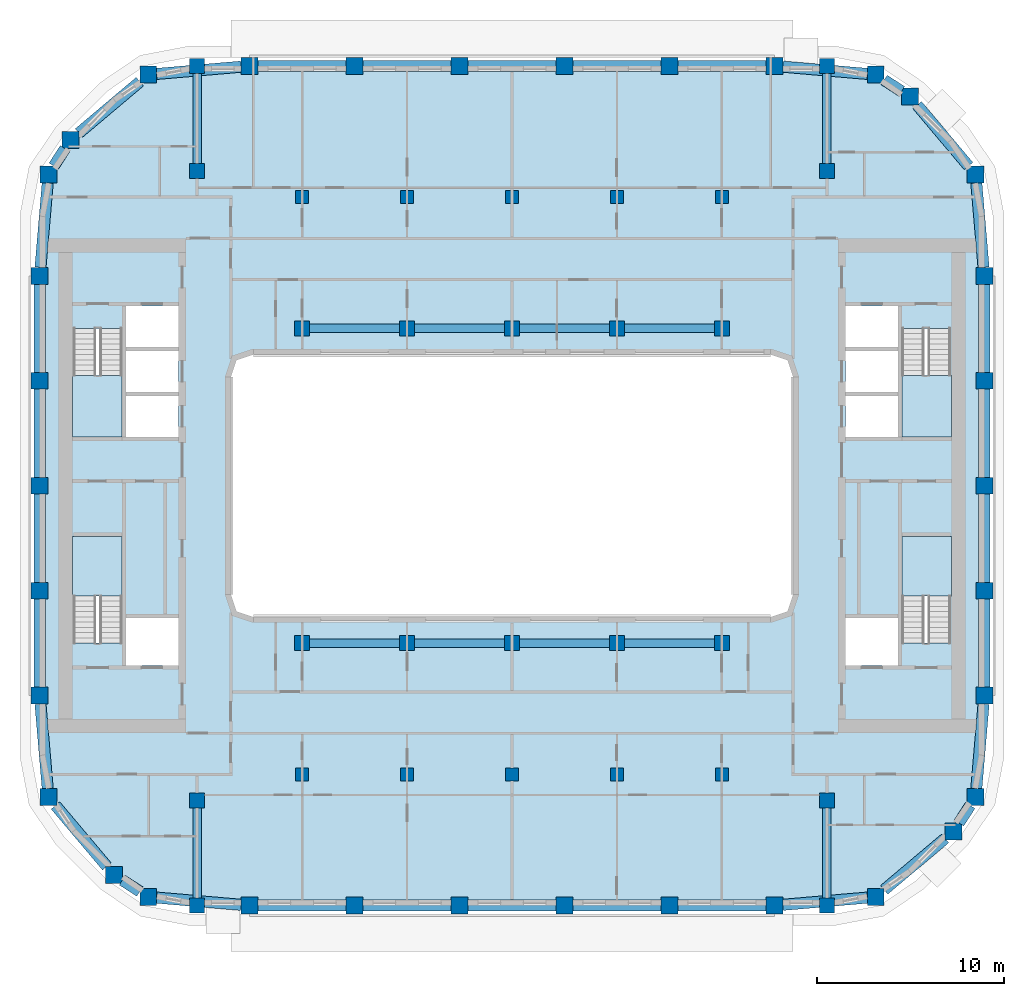
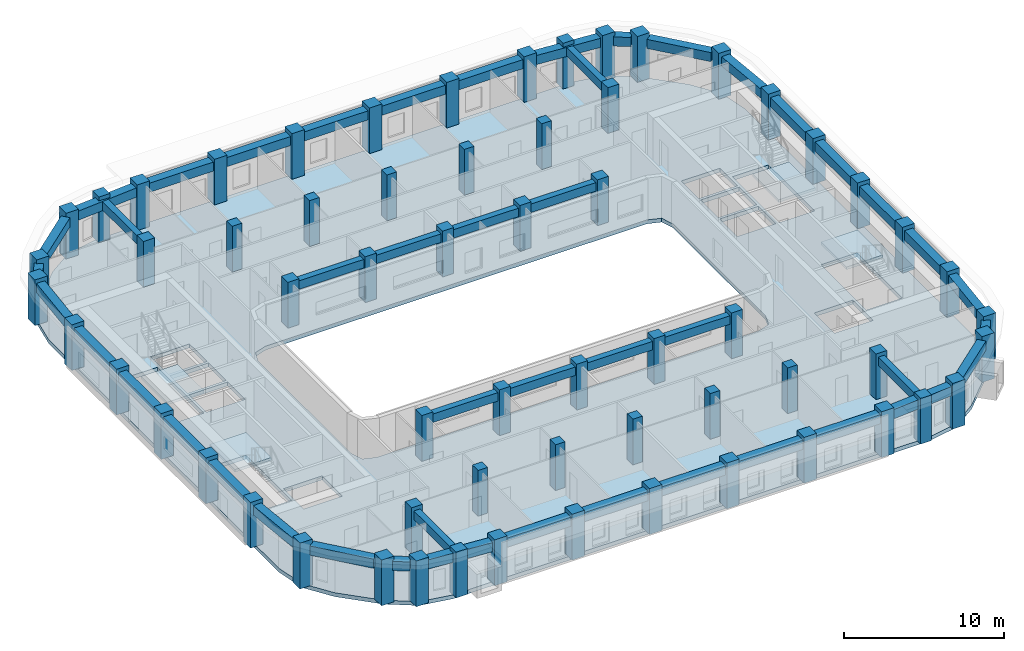
# One storey, part 1 of 21: 62 columns, 46 beams, 5 slabs, 4 elements without a shape of their own.
"""IFC4 building model written with IfcOpenShell, lengths in metres."""

from ifc_helpers import new_model, si_unit, direction, frame, origin, origin_2d, place, context, subcontext, project, spatial, polyline, rectangle, outline, extrude, material, layer, layer_set, material_profile, profile_set, type_object, element, aggregate, save


model = new_model("IFC4")

# Units and contexts
model_context = context("Model", 3, precision=1e-05, world=origin(), true_north=direction((0.0, 1.0)))
body_context = subcontext(model_context, "Body", "Model", "MODEL_VIEW")
ifc_project = project(units=[si_unit("LENGTHUNIT", "METRE"), si_unit("AREAUNIT", "SQUARE_METRE"), si_unit("VOLUMEUNIT", "CUBIC_METRE"), si_unit("PLANEANGLEUNIT", "RADIAN"), si_unit("MASSUNIT", "GRAM", prefix="KILO")], contexts=[model_context])

# Site, building, storey
site_placement = place(None, origin())
site = spatial("IfcSite", under=ifc_project, at=site_placement, CompositionType="ELEMENT")
building_placement = place(site_placement, origin())
building = spatial("IfcBuilding", under=site, at=building_placement, Name="Kiln Ring Residences", CompositionType="ELEMENT")
storey_placement = place(building_placement, frame((0.0, 0.0, 202.89990234375)))
storey = spatial("IfcBuildingStorey", under=building, at=storey_placement, Name="L52", CompositionType="ELEMENT", Elevation=202.89990234375)

# Columns
ifc_material_1 = material(Name="Concrete C70/85", Category="concrete")
ifc_material_profile_1 = material_profile(ifc_material_1, rectangle(XDim=0.699951171875, YDim=0.699951171875, at=origin_2d()), Name="RC700x700")
ifc_profile_set_1 = profile_set([ifc_material_profile_1], Name="Concrete C70/85")
column_type_1 = type_object("IfcColumnType", Name="Corridor column RC700x700 C70/85", PredefinedType="COLUMN", material=ifc_profile_set_1)
for number, where, z_axis, x_axis, name in (
    (1, (-11.199951171875, 15.39990234375, 0.0), (0.0, 0.0, 1.0), (1.0, 0.0, 0.0), "Corridor column L52 1"),
    (2, (-5.60009765625, 15.39990234375, 0.0), (0.0, 0.0, 1.0), (1.0, 0.0, 0.0), "Corridor column L52 2"),
    (3, (0.0, 15.39990234375, 0.0), (0.0, 0.0, 1.0), (1.0, 0.0, 0.0), "Corridor column L52 3"),
    (4, (5.60009765625, 15.39990234375, 0.0), (0.0, 0.0, 1.0), (1.0, 0.0, 0.0), "Corridor column L52 4"),
    (5, (11.199951171875, 15.39990234375, 0.0), (0.0, 0.0, 1.0), (1.0, 0.0, 0.0), "Corridor column L52 5"),
    (6, (-11.199951171875, -15.39990234375, 0.0), (0.0, 0.0, 1.0), (1.0, 0.0, 0.0), "Corridor column L52 6"),
    (7, (-5.60009765625, -15.39990234375, 0.0), (0.0, 0.0, 1.0), (1.0, 0.0, 0.0), "Corridor column L52 7"),
    (8, (0.0, -15.39990234375, 0.0), (0.0, 0.0, 1.0), (1.0, 0.0, 0.0), "Corridor column L52 8"),
    (9, (5.60009765625, -15.39990234375, 0.0), (0.0, 0.0, 1.0), (1.0, 0.0, 0.0), "Corridor column L52 9"),
    (10, (11.199951171875, -15.39990234375, 0.0), (0.0, 0.0, 1.0), (1.0, 0.0, 0.0), "Corridor column L52 10"),
):
    element("IfcColumn", number, at=place(storey_placement, frame(where, z_axis=z_axis, x_axis=x_axis)), inside=storey, type_object=column_type_1, Name=name, PredefinedType="COLUMN", context=body_context, shape_type="SweptSolid", body=[
        extrude(rectangle(XDim=0.699951171875, YDim=0.699951171875, at=origin_2d()), origin(), (0.0, 0.0, 1.0), 3.5),
    ])
ifc_material_2 = material(Name="Concrete C70/85", Category="concrete")
ifc_material_profile_2 = material_profile(ifc_material_2, rectangle(XDim=0.89990234375, YDim=0.89990234375, at=origin_2d()), Name="RC900x900")
ifc_profile_set_2 = profile_set([ifc_material_profile_2], Name="Concrete C70/85")
column_type_2 = type_object("IfcColumnType", Name="Perimeter column RC900x900 C70/85", PredefinedType="COLUMN", material=ifc_profile_set_2)
for number, where, z_axis, x_axis, name in (
    (11, (-19.40869140625, -21.93798828125, 0.0), (0.0, 0.0, 1.0), (1.0, 0.0, 0.0), "Perimeter column L52 1"),
    (12, (-14.0, -22.39990234375, 0.0), (0.0, 0.0, 1.0), (1.0, 0.0, 0.0), "Perimeter column L52 2"),
    (13, (-8.39990234375, -22.39990234375, 0.0), (0.0, 0.0, 1.0), (1.0, 0.0, 0.0), "Perimeter column L52 3"),
    (14, (-2.800048828125, -22.39990234375, 0.0), (0.0, 0.0, 1.0), (1.0, 0.0, 0.0), "Perimeter column L52 4"),
    (15, (2.800048828125, -22.39990234375, 0.0), (0.0, 0.0, 1.0), (1.0, 0.0, 0.0), "Perimeter column L52 5"),
    (16, (8.39990234375, -22.39990234375, 0.0), (0.0, 0.0, 1.0), (1.0, 0.0, 0.0), "Perimeter column L52 6"),
    (17, (14.0, -22.39990234375, 0.0), (0.0, 0.0, 1.0), (1.0, 0.0, 0.0), "Perimeter column L52 7"),
    (18, (19.40869140625, -21.93798828125, 0.0), (0.0, 0.0, 1.0), (1.0, 0.0, 0.0), "Perimeter column L52 8"),
    (19, (23.559814453125, -18.440185546875, 0.0), (0.0, 0.0, 1.0), (1.0, 0.0, 0.0), "Perimeter column L52 9"),
    (20, (24.738037109375, -16.608642578125, 0.0), (0.0, 0.0, 1.0), (1.0, 0.0, 0.0), "Perimeter column L52 10"),
    (21, (25.199951171875, -11.199951171875, 0.0), (0.0, 0.0, 1.0), (1.0, 0.0, 0.0), "Perimeter column L52 11"),
    (22, (25.199951171875, -5.60009765625, 0.0), (0.0, 0.0, 1.0), (1.0, 0.0, 0.0), "Perimeter column L52 12"),
    (23, (25.199951171875, 0.0, 0.0), (0.0, 0.0, 1.0), (1.0, 0.0, 0.0), "Perimeter column L52 13"),
    (24, (25.199951171875, 5.60009765625, 0.0), (0.0, 0.0, 1.0), (1.0, 0.0, 0.0), "Perimeter column L52 14"),
    (25, (25.199951171875, 11.199951171875, 0.0), (0.0, 0.0, 1.0), (1.0, 0.0, 0.0), "Perimeter column L52 15"),
    (26, (24.738037109375, 16.608642578125, 0.0), (0.0, 0.0, 1.0), (1.0, 0.0, 0.0), "Perimeter column L52 16"),
    (27, (21.240234375, 20.759765625, 0.0), (0.0, 0.0, 1.0), (1.0, 0.0, 0.0), "Perimeter column L52 17"),
    (28, (19.40869140625, 21.93798828125, 0.0), (0.0, 0.0, 1.0), (1.0, 0.0, 0.0), "Perimeter column L52 18"),
    (29, (14.0, 22.39990234375, 0.0), (0.0, 0.0, 1.0), (1.0, 0.0, 0.0), "Perimeter column L52 19"),
    (30, (8.39990234375, 22.39990234375, 0.0), (0.0, 0.0, 1.0), (1.0, 0.0, 0.0), "Perimeter column L52 20"),
    (31, (2.800048828125, 22.39990234375, 0.0), (0.0, 0.0, 1.0), (1.0, 0.0, 0.0), "Perimeter column L52 21"),
    (32, (-2.800048828125, 22.39990234375, 0.0), (0.0, 0.0, 1.0), (1.0, 0.0, 0.0), "Perimeter column L52 22"),
    (33, (-8.39990234375, 22.39990234375, 0.0), (0.0, 0.0, 1.0), (1.0, 0.0, 0.0), "Perimeter column L52 23"),
    (34, (-14.0, 22.39990234375, 0.0), (0.0, 0.0, 1.0), (1.0, 0.0, 0.0), "Perimeter column L52 24"),
    (35, (-19.40869140625, 21.93798828125, 0.0), (0.0, 0.0, 1.0), (1.0, 0.0, 0.0), "Perimeter column L52 25"),
    (36, (-23.559814453125, 18.440185546875, 0.0), (0.0, 0.0, 1.0), (1.0, 0.0, 0.0), "Perimeter column L52 26"),
    (37, (-24.738037109375, 16.608642578125, 0.0), (0.0, 0.0, 1.0), (1.0, 0.0, 0.0), "Perimeter column L52 27"),
    (38, (-25.199951171875, 11.199951171875, 0.0), (0.0, 0.0, 1.0), (1.0, 0.0, 0.0), "Perimeter column L52 28"),
    (39, (-25.199951171875, 5.60009765625, 0.0), (0.0, 0.0, 1.0), (1.0, 0.0, 0.0), "Perimeter column L52 29"),
    (40, (-25.199951171875, 0.0, 0.0), (0.0, 0.0, 1.0), (1.0, 0.0, 0.0), "Perimeter column L52 30"),
    (41, (-25.199951171875, -5.60009765625, 0.0), (0.0, 0.0, 1.0), (1.0, 0.0, 0.0), "Perimeter column L52 31"),
    (42, (-25.199951171875, -11.199951171875, 0.0), (0.0, 0.0, 1.0), (1.0, 0.0, 0.0), "Perimeter column L52 32"),
    (43, (-24.738037109375, -16.608642578125, 0.0), (0.0, 0.0, 1.0), (1.0, 0.0, 0.0), "Perimeter column L52 33"),
    (44, (-21.240234375, -20.759765625, 0.0), (0.0, 0.0, 1.0), (1.0, 0.0, 0.0), "Perimeter column L52 34"),
):
    element("IfcColumn", number, at=place(storey_placement, frame(where, z_axis=z_axis, x_axis=x_axis)), inside=storey, type_object=column_type_2, Name=name, PredefinedType="COLUMN", context=body_context, shape_type="SweptSolid", body=[
        extrude(rectangle(XDim=0.89990234375, YDim=0.89990234375, at=origin_2d()), origin(), (0.0, 0.0, 1.0), 3.5),
    ])
ifc_material_3 = material(Name="Concrete C70/85", Category="concrete")
ifc_material_profile_3 = material_profile(ifc_material_3, rectangle(XDim=0.800048828125, YDim=0.800048828125, at=origin_2d()), Name="RC800x800")
ifc_profile_set_3 = profile_set([ifc_material_profile_3], Name="Concrete C70/85")
column_type_3 = type_object("IfcColumnType", Name="Ring column RC800x800 C70/85", PredefinedType="COLUMN", material=ifc_profile_set_3)
for number, where, z_axis, x_axis, name in (
    (45, (-16.800048828125, -22.39990234375, 0.0), (0.0, 0.0, 1.0), (1.0, 0.0, 0.0), "Ring column L52 1"),
    (46, (-16.800048828125, -16.800048828125, 0.0), (0.0, 0.0, 1.0), (1.0, 0.0, 0.0), "Ring column L52 2"),
    (47, (-16.800048828125, 16.800048828125, 0.0), (0.0, 0.0, 1.0), (1.0, 0.0, 0.0), "Ring column L52 3"),
    (48, (-16.800048828125, 22.39990234375, 0.0), (0.0, 0.0, 1.0), (1.0, 0.0, 0.0), "Ring column L52 4"),
    (49, (-11.199951171875, -8.39990234375, 0.0), (0.0, 0.0, 1.0), (1.0, 0.0, 0.0), "Ring column L52 5"),
    (50, (-11.199951171875, 8.39990234375, 0.0), (0.0, 0.0, 1.0), (1.0, 0.0, 0.0), "Ring column L52 6"),
    (51, (-5.60009765625, -8.39990234375, 0.0), (0.0, 0.0, 1.0), (1.0, 0.0, 0.0), "Ring column L52 7"),
    (52, (-5.60009765625, 8.39990234375, 0.0), (0.0, 0.0, 1.0), (1.0, 0.0, 0.0), "Ring column L52 8"),
    (53, (0.0, -8.39990234375, 0.0), (0.0, 0.0, 1.0), (1.0, 0.0, 0.0), "Ring column L52 9"),
    (54, (0.0, 8.39990234375, 0.0), (0.0, 0.0, 1.0), (1.0, 0.0, 0.0), "Ring column L52 10"),
    (55, (5.60009765625, -8.39990234375, 0.0), (0.0, 0.0, 1.0), (1.0, 0.0, 0.0), "Ring column L52 11"),
    (56, (5.60009765625, 8.39990234375, 0.0), (0.0, 0.0, 1.0), (1.0, 0.0, 0.0), "Ring column L52 12"),
    (57, (11.199951171875, -8.39990234375, 0.0), (0.0, 0.0, 1.0), (1.0, 0.0, 0.0), "Ring column L52 13"),
    (58, (11.199951171875, 8.39990234375, 0.0), (0.0, 0.0, 1.0), (1.0, 0.0, 0.0), "Ring column L52 14"),
    (59, (16.800048828125, -22.39990234375, 0.0), (0.0, 0.0, 1.0), (1.0, 0.0, 0.0), "Ring column L52 15"),
    (60, (16.800048828125, -16.800048828125, 0.0), (0.0, 0.0, 1.0), (1.0, 0.0, 0.0), "Ring column L52 16"),
    (61, (16.800048828125, 16.800048828125, 0.0), (0.0, 0.0, 1.0), (1.0, 0.0, 0.0), "Ring column L52 17"),
    (62, (16.800048828125, 22.39990234375, 0.0), (0.0, 0.0, 1.0), (1.0, 0.0, 0.0), "Ring column L52 18"),
):
    element("IfcColumn", number, at=place(storey_placement, frame(where, z_axis=z_axis, x_axis=x_axis)), inside=storey, type_object=column_type_3, Name=name, PredefinedType="COLUMN", context=body_context, shape_type="SweptSolid", body=[
        extrude(rectangle(XDim=0.800048828125, YDim=0.800048828125, at=origin_2d()), origin(), (0.0, 0.0, 1.0), 3.5),
    ])

# Beams
ifc_material_4 = material(Name="Concrete C50/60", Category="concrete")
ifc_material_profile_4 = material_profile(ifc_material_4, rectangle(XDim=0.449951171875, YDim=0.64990234375, at=origin_2d()), Name="RC450x650")
ifc_profile_set_4 = profile_set([ifc_material_profile_4], Name="Concrete C50/60")
beam_type_1 = type_object("IfcBeamType", Name="Ring beam RC450x650 C50/60", PredefinedType="BEAM", material=ifc_profile_set_4)
for number, where, z_axis, x_axis, name in (
    (63, (-10.800048828125, -8.39990234375, 2.875), (1.0, 0.0, 0.0), (0.0, 1.0, 0.0), "Ring beam L52 1"),
    (64, (-5.199951171875, -8.39990234375, 2.875), (1.0, 0.0, 0.0), (0.0, 1.0, 0.0), "Ring beam L52 2"),
    (65, (0.39990234375, -8.39990234375, 2.875), (1.0, 0.0, 0.0), (0.0, 1.0, 0.0), "Ring beam L52 3"),
    (66, (6.0, -8.39990234375, 2.875), (1.0, 0.0, 0.0), (0.0, 1.0, 0.0), "Ring beam L52 4"),
    (67, (-10.800048828125, 8.39990234375, 2.875), (1.0, 0.0, 0.0), (0.0, 1.0, 0.0), "Ring beam L52 5"),
    (68, (-5.199951171875, 8.39990234375, 2.875), (1.0, 0.0, 0.0), (0.0, 1.0, 0.0), "Ring beam L52 6"),
    (69, (0.39990234375, 8.39990234375, 2.875), (1.0, 0.0, 0.0), (0.0, 1.0, 0.0), "Ring beam L52 7"),
    (70, (6.0, 8.39990234375, 2.875), (1.0, 0.0, 0.0), (0.0, 1.0, 0.0), "Ring beam L52 8"),
    (71, (-16.800048828125, -17.199951171875, 2.875), (0.0, -1.0, 0.0), (1.0, 0.0, 0.0), "Ring beam L52 9"),
    (72, (-16.800048828125, 17.199951171875, 2.875), (0.0, 1.0, 0.0), (-1.0, 0.0, 0.0), "Ring beam L52 10"),
    (73, (16.800048828125, -17.199951171875, 2.875), (0.0, -1.0, 0.0), (1.0, 0.0, 0.0), "Ring beam L52 11"),
    (74, (16.800048828125, 17.199951171875, 2.875), (0.0, 1.0, 0.0), (-1.0, 0.0, 0.0), "Ring beam L52 12"),
):
    element("IfcBeam", number, at=place(storey_placement, frame(where, z_axis=z_axis, x_axis=x_axis)), inside=storey, type_object=beam_type_1, Name=name, PredefinedType="BEAM", context=body_context, shape_type="SweptSolid", body=[
        extrude(rectangle(XDim=0.449951171875, YDim=0.64990234375, at=origin_2d()), origin(), (0.0, 0.0, 1.0), 4.800048828125),
    ])
ifc_material_5 = material(Name="Concrete C50/60", Category="concrete")
ifc_material_profile_5 = material_profile(ifc_material_5, rectangle(XDim=0.60009765625, YDim=0.699951171875, at=origin_2d()), Name="RC600x700")
ifc_profile_set_5 = profile_set([ifc_material_profile_5], Name="Concrete C50/60")
beam_type_2 = type_object("IfcBeamType", Name="Spandrel beam RC600x700 C50/60", PredefinedType="SPANDREL", material=ifc_profile_set_5)
beam_1_placement = place(storey_placement, frame((-18.958740234375, -21.9765625, 2.85009765625), z_axis=(0.996374010608, -0.085081319836, 0.0), x_axis=(0.085081319836, 0.996374010608, 0.0)))
element("IfcBeam", 75, at=beam_1_placement, inside=storey, type_object=beam_type_2, Name="Spandrel beam L52 1", PredefinedType="SPANDREL", context=body_context, shape_type="SweptSolid", body=[
    extrude(rectangle(XDim=0.60009765625, YDim=0.699951171875, at=origin_2d()), origin(), (0.0, 0.0, 1.0), 4.525146484375),
])
for number, where, z_axis, x_axis, name in (
    (76, (-13.550048828125, -22.39990234375, 2.85009765625), (1.0, 0.0, 0.0), (0.0, 1.0, 0.0), "Spandrel beam L52 2"),
    (77, (-7.949951171875, -22.39990234375, 2.85009765625), (1.0, 0.0, 0.0), (0.0, 1.0, 0.0), "Spandrel beam L52 3"),
):
    element("IfcBeam", number, at=place(storey_placement, frame(where, z_axis=z_axis, x_axis=x_axis)), inside=storey, type_object=beam_type_2, Name=name, PredefinedType="SPANDREL", context=body_context, shape_type="SweptSolid", body=[
        extrude(rectangle(XDim=0.60009765625, YDim=0.699951171875, at=origin_2d()), origin(), (0.0, 0.0, 1.0), 4.699951171875),
    ])
beam_2_placement = place(storey_placement, frame((-2.35009765625, -22.39990234375, 2.85009765625), z_axis=(1.0, 0.0, 0.0), x_axis=(0.0, 1.0, 0.0)))
element("IfcBeam", 78, at=beam_2_placement, inside=storey, type_object=beam_type_2, Name="Spandrel beam L52 4", PredefinedType="SPANDREL", context=body_context, shape_type="SweptSolid", body=[
    extrude(rectangle(XDim=0.60009765625, YDim=0.699951171875, at=origin_2d()), origin(), (0.0, 0.0, 1.0), 4.7001953125),
])
for number, where, z_axis, x_axis, name in (
    (79, (3.25, -22.39990234375, 2.85009765625), (1.0, 0.0, 0.0), (0.0, 1.0, 0.0), "Spandrel beam L52 5"),
    (80, (8.85009765625, -22.39990234375, 2.85009765625), (1.0, 0.0, 0.0), (0.0, 1.0, 0.0), "Spandrel beam L52 6"),
):
    element("IfcBeam", number, at=place(storey_placement, frame(where, z_axis=z_axis, x_axis=x_axis)), inside=storey, type_object=beam_type_2, Name=name, PredefinedType="SPANDREL", context=body_context, shape_type="SweptSolid", body=[
        extrude(rectangle(XDim=0.60009765625, YDim=0.699951171875, at=origin_2d()), origin(), (0.0, 0.0, 1.0), 4.699951171875),
    ])
beam_3_placement = place(storey_placement, frame((14.449951171875, -22.361572265625, 2.85009765625), z_axis=(0.996374010608, 0.085081319836, 0.0), x_axis=(-0.085081319836, 0.996374010608, 0.0)))
element("IfcBeam", 81, at=beam_3_placement, inside=storey, type_object=beam_type_2, Name="Spandrel beam L52 7", PredefinedType="SPANDREL", context=body_context, shape_type="SweptSolid", body=[
    extrude(rectangle(XDim=0.60009765625, YDim=0.699951171875, at=origin_2d()), origin(), (0.0, 0.0, 1.0), 4.525146484375),
])
beam_4_placement = place(storey_placement, frame((19.858642578125, -21.558837890625, 2.85009765625), z_axis=(0.764722045893, 0.644360297136, 0.0), x_axis=(-0.644360297136, 0.764722045893, 0.0)))
element("IfcBeam", 82, at=beam_4_placement, inside=storey, type_object=beam_type_2, Name="Spandrel beam L52 8", PredefinedType="SPANDREL", context=body_context, shape_type="SweptSolid", body=[
    extrude(rectangle(XDim=0.60009765625, YDim=0.699951171875, at=origin_2d()), origin(), (0.0, 0.0, 1.0), 4.25146484375),
])
beam_5_placement = place(storey_placement, frame((23.849365234375, -17.990234375, 2.85009765625), z_axis=(0.540891264019, 0.841092527911, 0.0), x_axis=(-0.841092527911, 0.540891264019, 0.0)))
element("IfcBeam", 83, at=beam_5_placement, inside=storey, type_object=beam_type_2, Name="Spandrel beam L52 9", PredefinedType="SPANDREL", context=body_context, shape_type="SweptSolid", body=[
    extrude(rectangle(XDim=0.60009765625, YDim=0.699951171875, at=origin_2d()), origin(), (0.0, 0.0, 1.0), 1.107666015625),
])
beam_6_placement = place(storey_placement, frame((24.776611328125, -16.15869140625, 2.85009765625), z_axis=(0.085081319836, 0.996374010608, 0.0), x_axis=(-0.996374010608, 0.085081319836, 0.0)))
element("IfcBeam", 84, at=beam_6_placement, inside=storey, type_object=beam_type_2, Name="Spandrel beam L52 10", PredefinedType="SPANDREL", context=body_context, shape_type="SweptSolid", body=[
    extrude(rectangle(XDim=0.60009765625, YDim=0.699951171875, at=origin_2d()), origin(), (0.0, 0.0, 1.0), 4.525146484375),
])
for number, where, z_axis, x_axis, name in (
    (85, (25.199951171875, -10.75, 2.85009765625), (0.0, 1.0, 0.0), (-1.0, 0.0, 0.0), "Spandrel beam L52 11"),
    (86, (25.199951171875, -5.14990234375, 2.85009765625), (0.0, 1.0, 0.0), (-1.0, 0.0, 0.0), "Spandrel beam L52 12"),
    (87, (25.199951171875, 0.449951171875, 2.85009765625), (0.0, 1.0, 0.0), (-1.0, 0.0, 0.0), "Spandrel beam L52 13"),
    (88, (25.199951171875, 6.050048828125, 2.85009765625), (0.0, 1.0, 0.0), (-1.0, 0.0, 0.0), "Spandrel beam L52 14"),
):
    element("IfcBeam", number, at=place(storey_placement, frame(where, z_axis=z_axis, x_axis=x_axis)), inside=storey, type_object=beam_type_2, Name=name, PredefinedType="SPANDREL", context=body_context, shape_type="SweptSolid", body=[
        extrude(rectangle(XDim=0.60009765625, YDim=0.699951171875, at=origin_2d()), origin(), (0.0, 0.0, 1.0), 4.699951171875),
    ])
beam_7_placement = place(storey_placement, frame((25.16162109375, 11.64990234375, 2.85009765625), z_axis=(-0.085081319836, 0.996374010608, 0.0), x_axis=(-0.996374010608, -0.085081319836, 0.0)))
element("IfcBeam", 89, at=beam_7_placement, inside=storey, type_object=beam_type_2, Name="Spandrel beam L52 15", PredefinedType="SPANDREL", context=body_context, shape_type="SweptSolid", body=[
    extrude(rectangle(XDim=0.60009765625, YDim=0.699951171875, at=origin_2d()), origin(), (0.0, 0.0, 1.0), 4.525146484375),
])
beam_8_placement = place(storey_placement, frame((24.35888671875, 17.05859375, 2.85009765625), z_axis=(-0.644360297136, 0.764722045893, 0.0), x_axis=(-0.764722045893, -0.644360297136, 0.0)))
element("IfcBeam", 90, at=beam_8_placement, inside=storey, type_object=beam_type_2, Name="Spandrel beam L52 16", PredefinedType="SPANDREL", context=body_context, shape_type="SweptSolid", body=[
    extrude(rectangle(XDim=0.60009765625, YDim=0.699951171875, at=origin_2d()), origin(), (0.0, 0.0, 1.0), 4.25146484375),
])
beam_9_placement = place(storey_placement, frame((20.790283203125, 21.04931640625, 2.85009765625), z_axis=(-0.840992251229, 0.541047163723, 0.0), x_axis=(-0.541047163723, -0.840992251229, 0.0)))
element("IfcBeam", 91, at=beam_9_placement, inside=storey, type_object=beam_type_2, Name="Spandrel beam L52 17", PredefinedType="SPANDREL", context=body_context, shape_type="SweptSolid", body=[
    extrude(rectangle(XDim=0.60009765625, YDim=0.699951171875, at=origin_2d()), origin(), (0.0, 0.0, 1.0), 1.107666015625),
])
beam_10_placement = place(storey_placement, frame((18.958740234375, 21.9765625, 2.85009765625), z_axis=(-0.996374010608, 0.085081319836, 0.0), x_axis=(-0.085081319836, -0.996374010608, 0.0)))
element("IfcBeam", 92, at=beam_10_placement, inside=storey, type_object=beam_type_2, Name="Spandrel beam L52 18", PredefinedType="SPANDREL", context=body_context, shape_type="SweptSolid", body=[
    extrude(rectangle(XDim=0.60009765625, YDim=0.699951171875, at=origin_2d()), origin(), (0.0, 0.0, 1.0), 4.525146484375),
])
for number, where, z_axis, x_axis, name in (
    (93, (13.550048828125, 22.39990234375, 2.85009765625), (-1.0, 0.0, 0.0), (0.0, -1.0, 0.0), "Spandrel beam L52 19"),
    (94, (7.949951171875, 22.39990234375, 2.85009765625), (-1.0, 0.0, 0.0), (0.0, -1.0, 0.0), "Spandrel beam L52 20"),
):
    element("IfcBeam", number, at=place(storey_placement, frame(where, z_axis=z_axis, x_axis=x_axis)), inside=storey, type_object=beam_type_2, Name=name, PredefinedType="SPANDREL", context=body_context, shape_type="SweptSolid", body=[
        extrude(rectangle(XDim=0.60009765625, YDim=0.699951171875, at=origin_2d()), origin(), (0.0, 0.0, 1.0), 4.699951171875),
    ])
beam_11_placement = place(storey_placement, frame((2.35009765625, 22.39990234375, 2.85009765625), z_axis=(-1.0, 0.0, 0.0), x_axis=(0.0, -1.0, 0.0)))
element("IfcBeam", 95, at=beam_11_placement, inside=storey, type_object=beam_type_2, Name="Spandrel beam L52 21", PredefinedType="SPANDREL", context=body_context, shape_type="SweptSolid", body=[
    extrude(rectangle(XDim=0.60009765625, YDim=0.699951171875, at=origin_2d()), origin(), (0.0, 0.0, 1.0), 4.7001953125),
])
for number, where, z_axis, x_axis, name in (
    (96, (-3.25, 22.39990234375, 2.85009765625), (-1.0, 0.0, 0.0), (0.0, -1.0, 0.0), "Spandrel beam L52 22"),
    (97, (-8.85009765625, 22.39990234375, 2.85009765625), (-1.0, 0.0, 0.0), (0.0, -1.0, 0.0), "Spandrel beam L52 23"),
):
    element("IfcBeam", number, at=place(storey_placement, frame(where, z_axis=z_axis, x_axis=x_axis)), inside=storey, type_object=beam_type_2, Name=name, PredefinedType="SPANDREL", context=body_context, shape_type="SweptSolid", body=[
        extrude(rectangle(XDim=0.60009765625, YDim=0.699951171875, at=origin_2d()), origin(), (0.0, 0.0, 1.0), 4.699951171875),
    ])
beam_12_placement = place(storey_placement, frame((-14.449951171875, 22.361572265625, 2.85009765625), z_axis=(-0.996374010608, -0.085081319836, 0.0), x_axis=(0.085081319836, -0.996374010608, 0.0)))
element("IfcBeam", 98, at=beam_12_placement, inside=storey, type_object=beam_type_2, Name="Spandrel beam L52 24", PredefinedType="SPANDREL", context=body_context, shape_type="SweptSolid", body=[
    extrude(rectangle(XDim=0.60009765625, YDim=0.699951171875, at=origin_2d()), origin(), (0.0, 0.0, 1.0), 4.525146484375),
])
beam_13_placement = place(storey_placement, frame((-19.858642578125, 21.558837890625, 2.85009765625), z_axis=(-0.764722045893, -0.644360297136, 0.0), x_axis=(0.644360297136, -0.764722045893, 0.0)))
element("IfcBeam", 99, at=beam_13_placement, inside=storey, type_object=beam_type_2, Name="Spandrel beam L52 25", PredefinedType="SPANDREL", context=body_context, shape_type="SweptSolid", body=[
    extrude(rectangle(XDim=0.60009765625, YDim=0.699951171875, at=origin_2d()), origin(), (0.0, 0.0, 1.0), 4.25146484375),
])
beam_14_placement = place(storey_placement, frame((-23.849365234375, 17.990234375, 2.85009765625), z_axis=(-0.540891264019, -0.841092527911, 0.0), x_axis=(0.841092527911, -0.540891264019, 0.0)))
element("IfcBeam", 100, at=beam_14_placement, inside=storey, type_object=beam_type_2, Name="Spandrel beam L52 26", PredefinedType="SPANDREL", context=body_context, shape_type="SweptSolid", body=[
    extrude(rectangle(XDim=0.60009765625, YDim=0.699951171875, at=origin_2d()), origin(), (0.0, 0.0, 1.0), 1.107666015625),
])
beam_15_placement = place(storey_placement, frame((-24.776611328125, 16.15869140625, 2.85009765625), z_axis=(-0.085081319836, -0.996374010608, 0.0), x_axis=(0.996374010608, -0.085081319836, 0.0)))
element("IfcBeam", 101, at=beam_15_placement, inside=storey, type_object=beam_type_2, Name="Spandrel beam L52 27", PredefinedType="SPANDREL", context=body_context, shape_type="SweptSolid", body=[
    extrude(rectangle(XDim=0.60009765625, YDim=0.699951171875, at=origin_2d()), origin(), (0.0, 0.0, 1.0), 4.525146484375),
])
for number, where, z_axis, x_axis, name in (
    (102, (-25.199951171875, 10.75, 2.85009765625), (0.0, -1.0, 0.0), (1.0, 0.0, 0.0), "Spandrel beam L52 28"),
    (103, (-25.199951171875, 5.14990234375, 2.85009765625), (0.0, -1.0, 0.0), (1.0, 0.0, 0.0), "Spandrel beam L52 29"),
    (104, (-25.199951171875, -0.449951171875, 2.85009765625), (0.0, -1.0, 0.0), (1.0, 0.0, 0.0), "Spandrel beam L52 30"),
    (105, (-25.199951171875, -6.050048828125, 2.85009765625), (0.0, -1.0, 0.0), (1.0, 0.0, 0.0), "Spandrel beam L52 31"),
):
    element("IfcBeam", number, at=place(storey_placement, frame(where, z_axis=z_axis, x_axis=x_axis)), inside=storey, type_object=beam_type_2, Name=name, PredefinedType="SPANDREL", context=body_context, shape_type="SweptSolid", body=[
        extrude(rectangle(XDim=0.60009765625, YDim=0.699951171875, at=origin_2d()), origin(), (0.0, 0.0, 1.0), 4.699951171875),
    ])
beam_16_placement = place(storey_placement, frame((-25.16162109375, -11.64990234375, 2.85009765625), z_axis=(0.085081319836, -0.996374010608, 0.0), x_axis=(0.996374010608, 0.085081319836, 0.0)))
element("IfcBeam", 106, at=beam_16_placement, inside=storey, type_object=beam_type_2, Name="Spandrel beam L52 32", PredefinedType="SPANDREL", context=body_context, shape_type="SweptSolid", body=[
    extrude(rectangle(XDim=0.60009765625, YDim=0.699951171875, at=origin_2d()), origin(), (0.0, 0.0, 1.0), 4.525146484375),
])
beam_17_placement = place(storey_placement, frame((-24.35888671875, -17.05859375, 2.85009765625), z_axis=(0.644360297136, -0.764722045893, 0.0), x_axis=(0.764722045893, 0.644360297136, 0.0)))
element("IfcBeam", 107, at=beam_17_placement, inside=storey, type_object=beam_type_2, Name="Spandrel beam L52 33", PredefinedType="SPANDREL", context=body_context, shape_type="SweptSolid", body=[
    extrude(rectangle(XDim=0.60009765625, YDim=0.699951171875, at=origin_2d()), origin(), (0.0, 0.0, 1.0), 4.25146484375),
])
beam_18_placement = place(storey_placement, frame((-20.790283203125, -21.04931640625, 2.85009765625), z_axis=(0.840992251229, -0.541047163723, 0.0), x_axis=(0.541047163723, 0.840992251229, 0.0)))
element("IfcBeam", 108, at=beam_18_placement, inside=storey, type_object=beam_type_2, Name="Spandrel beam L52 34", PredefinedType="SPANDREL", context=body_context, shape_type="SweptSolid", body=[
    extrude(rectangle(XDim=0.60009765625, YDim=0.699951171875, at=origin_2d()), origin(), (0.0, 0.0, 1.0), 1.107666015625),
])

# Stair, slab
ifc_material_6 = material(Name="Concrete C40/50", Category="concrete")
stair_type = type_object("IfcStairType", Name="CORE-STAIR", PredefinedType="HALF_TURN_STAIR", material=ifc_material_6)
placement_1 = place(storey_placement, origin())
stair_1 = element("IfcStair", 109, at=placement_1, inside=storey, type_object=stair_type, Name="L52 stair W-STN", PredefinedType="HALF_TURN_STAIR")
ifc_material_7 = material(Name="Concrete C40/50", Category="concrete")
ifc_layer_1 = layer(ifc_material_7, 0.199951171875)
ifc_layer_set_1 = layer_set([ifc_layer_1], Name="CORE-STAIR-LANDING")
slab_type_1 = type_object("IfcSlabType", Name="CORE-STAIR-LANDING", PredefinedType="LANDING", material=ifc_layer_set_1)
placement_2 = place(storey_placement, frame((0.0, 0.0, 1.550048828125)))
slab_1 = element("IfcSlab", 110, at=placement_2, type_object=slab_type_1, Name="W-STN landing 1", PredefinedType="LANDING", context=body_context, shape_type="SweptSolid", body=[
    extrude(outline(polyline([(-23.449951171875, 5.8798828125), (-23.449951171875, 2.60009765625), (-20.800048828125, 2.60009765625), (-20.800048828125, 5.8798828125), (-23.449951171875, 5.8798828125)])), origin(), (0.0, 0.0, 1.0), 0.199951171875),
])
aggregate(stair_1, [slab_1])

stair_2 = element("IfcStair", 111, at=placement_1, inside=storey, type_object=stair_type, Name="L52 stair W-STS", PredefinedType="HALF_TURN_STAIR")
slab_2 = element("IfcSlab", 112, at=placement_2, type_object=slab_type_1, Name="W-STS landing 1", PredefinedType="LANDING", context=body_context, shape_type="SweptSolid", body=[
    extrude(outline(polyline([(-20.800048828125, -5.8798828125), (-20.800048828125, -2.699951171875), (-23.449951171875, -2.699951171875), (-23.449951171875, -5.8798828125), (-20.800048828125, -5.8798828125)])), origin(), (0.0, 0.0, 1.0), 0.199951171875),
])
aggregate(stair_2, [slab_2])

stair_3 = element("IfcStair", 113, at=placement_1, inside=storey, type_object=stair_type, Name="L52 stair E-STN", PredefinedType="HALF_TURN_STAIR")
slab_3 = element("IfcSlab", 114, at=placement_2, type_object=slab_type_1, Name="E-STN landing 1", PredefinedType="LANDING", context=body_context, shape_type="SweptSolid", body=[
    extrude(outline(polyline([(20.800048828125, 5.8798828125), (20.800048828125, 2.60009765625), (23.449951171875, 2.60009765625), (23.449951171875, 5.8798828125), (20.800048828125, 5.8798828125)])), origin(), (0.0, 0.0, 1.0), 0.199951171875),
])
aggregate(stair_3, [slab_3])

stair_4 = element("IfcStair", 115, at=placement_1, inside=storey, type_object=stair_type, Name="L52 stair E-STS", PredefinedType="HALF_TURN_STAIR")
slab_4 = element("IfcSlab", 116, at=placement_2, type_object=slab_type_1, Name="E-STS landing 1", PredefinedType="LANDING", context=body_context, shape_type="SweptSolid", body=[
    extrude(outline(polyline([(23.449951171875, -5.8798828125), (23.449951171875, -2.699951171875), (20.800048828125, -2.699951171875), (20.800048828125, -5.8798828125), (23.449951171875, -5.8798828125)])), origin(), (0.0, 0.0, 1.0), 0.199951171875),
])
aggregate(stair_4, [slab_4])

# Slab
ifc_material_8 = material(Name="Concrete C40/50", Category="concrete")
ifc_layer_2 = layer(ifc_material_8, 0.300048828125)
ifc_layer_set_2 = layer_set([ifc_layer_2], Name="Floor slab 300")
slab_type_2 = type_object("IfcSlabType", Name="Floor slab 300", PredefinedType="FLOOR", material=ifc_layer_set_2)
slab_5_placement = place(storey_placement, frame((0.0, 0.0, -0.2998046875)))
element("IfcSlab", 117, at=slab_5_placement, inside=storey, type_object=slab_type_2, Name="Floor slab L52 1", PredefinedType="FLOOR", context=body_context, shape_type="SweptSolid", body=[
    extrude(outline(polyline([(-23.5029296875, -18.4970703125), (-21.297119140625, -20.702880859375), (-19.42431640625, -21.975830078125), (-17.199951171875, -22.39990234375), (17.199951171875, -22.39990234375), (19.42431640625, -21.975830078125), (21.297119140625, -20.702880859375), (23.5029296875, -18.4970703125), (24.775634765625, -16.624267578125), (25.199951171875, -14.39990234375), (25.199951171875, 14.39990234375), (24.775634765625, 16.624267578125), (23.5029296875, 18.4970703125), (21.297119140625, 20.702880859375), (19.42431640625, 21.975830078125), (17.199951171875, 22.39990234375), (-17.199951171875, 22.39990234375), (-19.42431640625, 21.975830078125), (-21.297119140625, 20.702880859375), (-23.5029296875, 18.4970703125), (-24.775634765625, 16.624267578125), (-25.199951171875, 14.39990234375), (-25.199951171875, -14.39990234375), (-24.775634765625, -16.624267578125), (-23.5029296875, -18.4970703125)]), holes=[polyline([(-14.699951171875, -6.699951171875), (-15.0, -5.800048828125), (-15.0, 5.800048828125), (-14.699951171875, 6.699951171875), (-13.800048828125, 7.0), (13.800048828125, 7.0), (14.699951171875, 6.699951171875), (15.0, 5.800048828125), (15.0, -5.800048828125), (14.699951171875, -6.699951171875), (13.800048828125, -7.0), (-13.800048828125, -7.0), (-14.699951171875, -6.699951171875)]), polyline([(20.800048828125, -8.39794921875), (20.800048828125, -2.699951171875), (23.39990234375, -2.699951171875), (23.39990234375, -8.39794921875), (20.800048828125, -8.39794921875)]), polyline([(23.39990234375, 2.60009765625), (20.800048828125, 2.60009765625), (20.800048828125, 8.39794921875), (23.39990234375, 8.39794921875), (23.39990234375, 2.60009765625)]), polyline([(17.800048828125, 2.60009765625), (17.800048828125, 4.800048828125), (20.60009765625, 4.800048828125), (20.60009765625, 2.60009765625), (17.800048828125, 2.60009765625)]), polyline([(17.800048828125, 5.0), (17.800048828125, 7.199951171875), (20.60009765625, 7.199951171875), (20.60009765625, 5.0), (17.800048828125, 5.0)]), polyline([(17.800048828125, 7.39990234375), (17.800048828125, 9.60009765625), (20.60009765625, 9.60009765625), (20.60009765625, 7.39990234375), (17.800048828125, 7.39990234375)]), polyline([(20.60009765625, -9.60009765625), (17.800048828125, -9.60009765625), (17.800048828125, -7.050048828125), (20.60009765625, -7.050048828125), (20.60009765625, -9.60009765625)]), polyline([(-17.800048828125, -7.050048828125), (-17.800048828125, -9.60009765625), (-20.60009765625, -9.60009765625), (-20.60009765625, -7.050048828125), (-17.800048828125, -7.050048828125)]), polyline([(-17.800048828125, 2.60009765625), (-20.60009765625, 2.60009765625), (-20.60009765625, 4.800048828125), (-17.800048828125, 4.800048828125), (-17.800048828125, 2.60009765625)]), polyline([(-17.800048828125, 5.0), (-20.60009765625, 5.0), (-20.60009765625, 7.199951171875), (-17.800048828125, 7.199951171875), (-17.800048828125, 5.0)]), polyline([(-17.800048828125, 7.39990234375), (-20.60009765625, 7.39990234375), (-20.60009765625, 9.60009765625), (-17.800048828125, 9.60009765625), (-17.800048828125, 7.39990234375)]), polyline([(-20.800048828125, -8.39794921875), (-23.39990234375, -8.39794921875), (-23.39990234375, -2.699951171875), (-20.800048828125, -2.699951171875), (-20.800048828125, -8.39794921875)]), polyline([(-20.800048828125, 8.39794921875), (-20.800048828125, 2.60009765625), (-23.39990234375, 2.60009765625), (-23.39990234375, 8.39794921875), (-20.800048828125, 8.39794921875)])]), origin(), (0.0, 0.0, 1.0), 0.2998046875),
])

save(model, "model.ifc")
